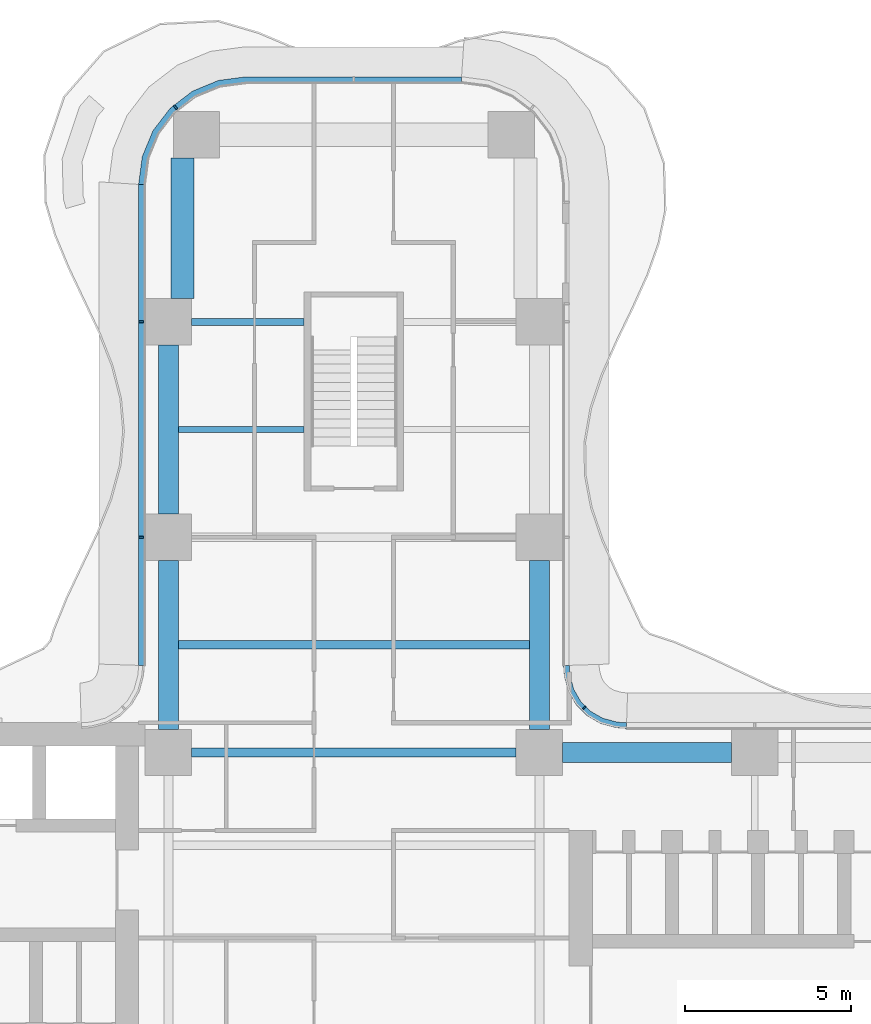
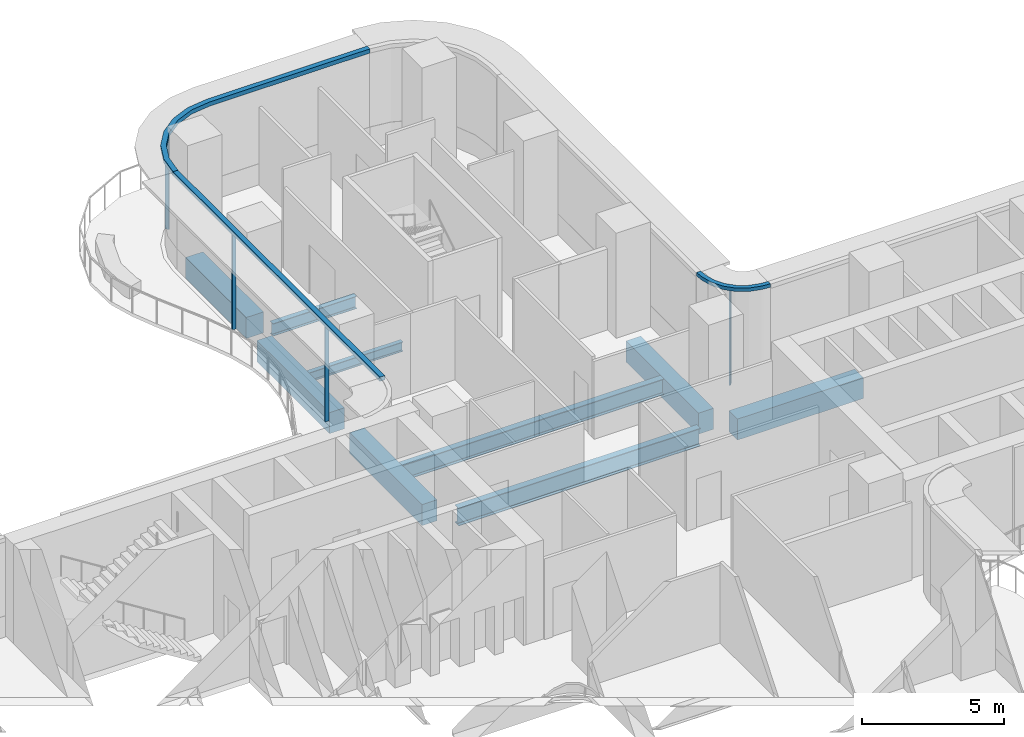
# One storey, part 9 of 23: 9 beams, 7 members, 3 elements without a shape of their own.
"""IFC4 building model written with IfcOpenShell, lengths in metres."""

from ifc_helpers import new_model, si_unit, direction, frame, origin, origin_2d, place, context, subcontext, project, spatial, polyline, rectangle, i_section, outline, extrude, source, transform, mapped, material, layer, layer_set, material_profile, profile_set, type_object, element, aggregate, save


model = new_model("IFC4")

# Units and contexts
model_context = context("Model", 3, precision=1e-05, world=origin(), true_north=direction((0.0, 1.0)))
body_context = subcontext(model_context, "Body", "Model", "MODEL_VIEW")
ifc_project = project(units=[si_unit("LENGTHUNIT", "METRE"), si_unit("AREAUNIT", "SQUARE_METRE"), si_unit("VOLUMEUNIT", "CUBIC_METRE"), si_unit("PLANEANGLEUNIT", "RADIAN"), si_unit("MASSUNIT", "GRAM", prefix="KILO")], contexts=[model_context])

# Site, building, storey
site_placement = place(None, origin())
site = spatial("IfcSite", under=ifc_project, at=site_placement, CompositionType="ELEMENT")
building_placement = place(site_placement, origin())
building = spatial("IfcBuilding", under=site, at=building_placement, Name="Trellis Farm Tower", CompositionType="ELEMENT")
storey_placement = place(building_placement, frame((0.0, 0.0, 83.5)))
storey = spatial("IfcBuildingStorey", under=building, at=storey_placement, Name="L17", CompositionType="ELEMENT", Elevation=83.5)

# Beams
ifc_material_1 = material(Name="Steel S355", Category="steel")
ifc_material_profile_1 = material_profile(ifc_material_1, i_section(OverallWidth=0.209228515625, OverallDepth=0.533203125, WebThickness=0.010009765625, FlangeThickness=0.015625, FilletRadius=0.0126953125, at=origin_2d()), Name="UB 533x210x92")
ifc_profile_set_1 = profile_set([ifc_material_profile_1], Name="Steel S355")
beam_type_1 = type_object("IfcBeamType", Name="UB 533x210x92", PredefinedType="BEAM", material=ifc_profile_set_1)
shared_shape_1 = source(origin(), body_context, "Body", "SweptSolid", [
    extrude(i_section(OverallWidth=0.209228515625, OverallDepth=0.533203125, WebThickness=0.010009765625, FlangeThickness=0.015625, FilletRadius=0.0126953125, at=origin_2d()), origin(), (0.0, 0.0, 1.0), 3.39990234375),
])
beam_1_placement = place(storey_placement, frame((-4.89990234375, 18.60009765625, -0.5166015625), z_axis=(1.0, 0.0, 0.0), x_axis=(0.0, 1.0, 0.0)))
element("IfcBeam", 1, at=beam_1_placement, inside=storey, type_object=beam_type_1, Name="Girder", PredefinedType="BEAM", context=body_context, shape_type="MappedRepresentation", body=[
    mapped(shared_shape_1, transform((0.0, 0.0, 0.0))),
])
ifc_material_2 = material(Name="Concrete C60/75", Category="concrete")
ifc_material_profile_2 = material_profile(ifc_material_2, rectangle(XDim=0.60009765625, YDim=0.89990234375, at=origin_2d()), Name="RC spandrel beam 600x900 C60/75")
ifc_profile_set_2 = profile_set([ifc_material_profile_2], Name="Concrete C60/75")
beam_type_2 = type_object("IfcBeamType", Name="RC spandrel beam 600x900 C60/75", PredefinedType="SPANDREL", material=ifc_profile_set_2)
shared_shape_2 = source(origin(), body_context, "Body", "SweptSolid", [
    extrude(rectangle(XDim=0.60009765625, YDim=0.89990234375, at=origin_2d()), origin(), (0.0, 0.0, 1.0), 5.099853515625),
])
for number, where, z_axis, x_axis, name in (
    (2, (6.300048828125, 5.60009765625, -0.699951171875), (1.0, 0.0, 0.0), (0.0, 1.0, 0.0), "Girder"),
    (3, (-5.60009765625, 6.300048828125, -0.699951171875), (0.0, 1.0, 0.0), (-1.0, 0.0, 0.0), "Girder"),
    (4, (-5.60009765625, 12.800048828125, -0.699951171875), (0.0, 1.0, 0.0), (-1.0, 0.0, 0.0), "Girder"),
    (5, (5.60009765625, 6.300048828125, -0.699951171875), (0.0, 1.0, 0.0), (-1.0, 0.0, 0.0), "Girder"),
):
    element("IfcBeam", number, at=place(storey_placement, frame(where, z_axis=z_axis, x_axis=x_axis)), inside=storey, type_object=beam_type_2, Name=name, PredefinedType="SPANDREL", context=body_context, shape_type="MappedRepresentation", body=[
        mapped(shared_shape_2, transform((0.0, 0.0, 0.0))),
    ])
ifc_material_profile_3 = material_profile(ifc_material_1, i_section(OverallWidth=0.2666015625, OverallDepth=0.76220703125, WebThickness=0.014404296875, FlangeThickness=0.021484375, FilletRadius=0.0166015625, at=origin_2d()), Name="UB 762x267x173")
ifc_profile_set_3 = profile_set([ifc_material_profile_3], Name="Steel S355")
beam_type_3 = type_object("IfcBeamType", Name="UB 762x267x173", PredefinedType="BEAM", material=ifc_profile_set_3)
shared_shape_3 = source(origin(), body_context, "Body", "SweptSolid", [
    extrude(i_section(OverallWidth=0.2666015625, OverallDepth=0.76220703125, WebThickness=0.014404296875, FlangeThickness=0.021484375, FilletRadius=0.0166015625, at=origin_2d()), origin(), (0.0, 0.0, 1.0), 9.7998046875),
])
beam_2_placement = place(storey_placement, frame((-4.89990234375, 5.60009765625, -0.631103515625), z_axis=(1.0, 0.0, 0.0), x_axis=(0.0, 1.0, 0.0)))
element("IfcBeam", 6, at=beam_2_placement, inside=storey, type_object=beam_type_3, Name="Girder", PredefinedType="BEAM", context=body_context, shape_type="MappedRepresentation", body=[
    mapped(shared_shape_3, transform((0.0, 0.0, 0.0))),
])
ifc_material_profile_4 = material_profile(ifc_material_2, rectangle(XDim=0.699951171875, YDim=0.89990234375, at=origin_2d()), Name="RC spandrel beam 700x900 C60/75")
ifc_profile_set_4 = profile_set([ifc_material_profile_4], Name="Concrete C60/75")
beam_type_4 = type_object("IfcBeamType", Name="RC spandrel beam 700x900 C60/75", PredefinedType="SPANDREL", material=ifc_profile_set_4)
shared_shape_4 = source(origin(), body_context, "Body", "SweptSolid", [
    extrude(rectangle(XDim=0.699951171875, YDim=0.89990234375, at=origin_2d()), origin(), (0.0, 0.0, 1.0), 4.25),
])
beam_3_placement = place(storey_placement, frame((-5.175048828125, 19.300048828125, -0.699951171875), z_axis=(0.0, 1.0, 0.0), x_axis=(-1.0, 0.0, 0.0)))
element("IfcBeam", 7, at=beam_3_placement, inside=storey, type_object=beam_type_4, Name="Girder", PredefinedType="SPANDREL", context=body_context, shape_type="MappedRepresentation", body=[
    mapped(shared_shape_4, transform((0.0, 0.0, 0.0))),
])
ifc_material_profile_5 = material_profile(ifc_material_1, i_section(OverallWidth=0.177978515625, OverallDepth=0.406494140625, WebThickness=0.0078125, FlangeThickness=0.0126953125, FilletRadius=0.01025390625, at=origin_2d()), Name="UB 406x178x60")
ifc_profile_set_5 = profile_set([ifc_material_profile_5], Name="Steel S355")
beam_type_5 = type_object("IfcBeamType", Name="UB 406x178x60 joist", PredefinedType="JOIST", material=ifc_profile_set_5)
shared_shape_5 = source(origin(), body_context, "Body", "SweptSolid", [
    extrude(i_section(OverallWidth=0.177978515625, OverallDepth=0.406494140625, WebThickness=0.0078125, FlangeThickness=0.0126953125, FilletRadius=0.01025390625, at=origin_2d()), origin(), (0.0, 0.0, 1.0), 3.800048828125),
])
beam_4_placement = place(storey_placement, frame((-5.300048828125, 15.35009765625, -0.453125), z_axis=(1.0, 0.0, 0.0), x_axis=(0.0, 1.0, 0.0)))
element("IfcBeam", 8, at=beam_4_placement, inside=storey, type_object=beam_type_5, Name="Floor beam", PredefinedType="JOIST", context=body_context, shape_type="MappedRepresentation", body=[
    mapped(shared_shape_5, transform((0.0, 0.0, 0.0))),
])
ifc_material_profile_6 = material_profile(ifc_material_1, i_section(OverallWidth=0.253662109375, OverallDepth=0.68359375, WebThickness=0.012451171875, FlangeThickness=0.021728515625, FilletRadius=0.01513671875, at=origin_2d()), Name="UB 686x254x140")
ifc_profile_set_6 = profile_set([ifc_material_profile_6], Name="Steel S355")
beam_type_6 = type_object("IfcBeamType", Name="UB 686x254x140 joist", PredefinedType="JOIST", material=ifc_profile_set_6)
shared_shape_6 = source(origin(), body_context, "Body", "SweptSolid", [
    extrude(i_section(OverallWidth=0.253662109375, OverallDepth=0.68359375, WebThickness=0.012451171875, FlangeThickness=0.021728515625, FilletRadius=0.01513671875, at=origin_2d()), origin(), (0.0, 0.0, 1.0), 10.60009765625),
])
beam_5_placement = place(storey_placement, frame((-5.300048828125, 8.85009765625, -0.591796875), z_axis=(1.0, 0.0, 0.0), x_axis=(0.0, 1.0, 0.0)))
element("IfcBeam", 9, at=beam_5_placement, inside=storey, type_object=beam_type_6, Name="Floor beam", PredefinedType="JOIST", context=body_context, shape_type="MappedRepresentation", body=[
    mapped(shared_shape_6, transform((0.0, 0.0, 0.0))),
])

# Curtain wall, member
ifc_material_3 = material(Name="Aluminium and glass curtain wall", Category="aluminium")
ifc_layer_1 = layer(ifc_material_3, 0.18994140625)
ifc_layer_set_1 = layer_set([ifc_layer_1], Name="RIBBON CURTAIN WALL CW1")
curtain_wall_type_1 = type_object("IfcCurtainWallType", Name="RIBBON CURTAIN WALL CW1", PredefinedType="NOTDEFINED", material=ifc_layer_set_1)
placement_1 = place(storey_placement, origin())
curtain_wall_1 = element("IfcCurtainWall", 10, at=placement_1, inside=storey, type_object=curtain_wall_type_1, Name="CW1 010", PredefinedType="NOTDEFINED")
ifc_material_4 = material(Name="Aluminium extrusion 6063-T6", Category="aluminium")
ifc_material_profile_7 = material_profile(ifc_material_4, rectangle(XDim=0.06005859375, YDim=0.14990234375, at=origin_2d()), Name="MULLION 60x150")
ifc_profile_set_7 = profile_set([ifc_material_profile_7], Name="Aluminium extrusion 6063-T6")
member_type_1 = type_object("IfcMemberType", Name="CW1 MULLION 60x150", PredefinedType="MULLION", material=ifc_profile_set_7)
shared_shape_7 = source(origin(), body_context, "Body", "SweptSolid", [
    extrude(rectangle(XDim=0.06005859375, YDim=0.14990234375, at=origin_2d()), origin(), (0.0, 0.0, 1.0), 4.070068359375),
])
member_1_placement = place(storey_placement, frame((-5.385498046875, 25.078369140625, 0.0), z_axis=(0.0, 0.0, 1.0), x_axis=(-0.793353340291, -0.608761429009, 0.0)))
member_1 = element("IfcMember", 11, at=member_1_placement, type_object=member_type_1, Name="MU1 010-02", PredefinedType="MULLION", context=body_context, shape_type="MappedRepresentation", body=[
    mapped(shared_shape_7, transform((0.0, 0.0, 0.0))),
])

# Curtain wall, members
curtain_wall_2 = element("IfcCurtainWall", 12, at=placement_1, inside=storey, type_object=curtain_wall_type_1, Name="CW1 011", PredefinedType="NOTDEFINED")
member_2_placement = place(storey_placement, frame((-6.425048828125, 18.60009765625, 0.0), z_axis=(0.0, 0.0, 1.0), x_axis=(0.0, -1.0, 0.0)))
member_2 = element("IfcMember", 13, at=member_2_placement, type_object=member_type_1, Name="MU1 011-01", PredefinedType="MULLION", context=body_context, shape_type="MappedRepresentation", body=[
    mapped(shared_shape_7, transform((0.0, 0.0, 0.0))),
])
member_3_placement = place(storey_placement, frame((-6.425048828125, 12.10009765625, 0.0), z_axis=(0.0, 0.0, 1.0), x_axis=(0.0, -1.0, 0.0)))
member_3 = element("IfcMember", 14, at=member_3_placement, type_object=member_type_1, Name="MU1 011-02", PredefinedType="MULLION", context=body_context, shape_type="MappedRepresentation", body=[
    mapped(shared_shape_7, transform((0.0, 0.0, 0.0))),
])

ifc_layer_2 = layer(ifc_material_3, 0.166015625)
ifc_layer_set_2 = layer_set([ifc_layer_2], Name="WINTER GARDEN CURTAIN WALL CW3")
curtain_wall_type_2 = type_object("IfcCurtainWallType", Name="WINTER GARDEN CURTAIN WALL CW3", PredefinedType="NOTDEFINED", material=ifc_layer_set_2)
curtain_wall_3 = element("IfcCurtainWall", 15, at=placement_1, inside=storey, type_object=curtain_wall_type_2, Name="CW3 003", PredefinedType="NOTDEFINED")
ifc_material_profile_8 = material_profile(ifc_material_4, rectangle(XDim=0.050048828125, YDim=0.1201171875, at=origin_2d()), Name="MULLION 50x120")
ifc_profile_set_8 = profile_set([ifc_material_profile_8], Name="Aluminium extrusion 6063-T6")
member_type_2 = type_object("IfcMemberType", Name="CW3 MULLION 50x120", PredefinedType="MULLION", material=ifc_profile_set_8)
shared_shape_8 = source(origin(), body_context, "Body", "SweptSolid", [
    extrude(rectangle(XDim=0.050048828125, YDim=0.1201171875, at=origin_2d()), origin(), (0.0, 0.0, 1.0), 4.10009765625),
])
member_4_placement = place(storey_placement, frame((6.953125, 6.953125, 0.0), z_axis=(0.0, 0.0, 1.0), x_axis=(-0.707106781187, 0.707106781187, 0.0)))
member_4 = element("IfcMember", 16, at=member_4_placement, type_object=member_type_2, Name="MU3 003-01", PredefinedType="MULLION", context=body_context, shape_type="MappedRepresentation", body=[
    mapped(shared_shape_8, transform((0.0, 0.0, 0.0))),
])
ifc_layer_3 = layer(ifc_material_4, 0.169921875)
ifc_layer_set_3 = layer_set([ifc_layer_3], Name="Aluminium extrusion 6063-T6")
member_type_3 = type_object("IfcMemberType", Name="CW3 TRANSOM 170x150", PredefinedType="USERDEFINED", material=ifc_layer_set_3)
shared_shape_9 = source(origin(), body_context, "Body", "SweptSolid", [
    extrude(outline(polyline([(8.2314453125, 6.5), (8.01953125, 6.513916015625), (7.91552734375, 6.527587890625), (7.508544921875, 6.63671875), (7.144287109375, 6.846923828125), (6.846923828125, 7.144287109375), (6.63671875, 7.508544921875), (6.527587890625, 7.91552734375), (6.513916015625, 8.01953125), (6.5, 8.2314453125), (6.330078125, 8.225830078125), (6.3447265625, 8.0029296875), (6.360595703125, 7.88232421875), (6.478271484375, 7.44287109375), (6.7109375, 7.0400390625), (7.0400390625, 6.7109375), (7.44287109375, 6.478271484375), (7.88232421875, 6.360595703125), (8.0029296875, 6.3447265625), (8.225830078125, 6.330078125), (8.2314453125, 6.5)])), origin(), (0.0, 0.0, 1.0), 0.14990234375),
])
member_5_placement = place(storey_placement, frame((0.0, 0.0, 4.10009765625)))
member_5 = element("IfcMember", 17, at=member_5_placement, type_object=member_type_3, Name="TR3 003", ObjectType="TRANSOM", PredefinedType="USERDEFINED", context=body_context, shape_type="MappedRepresentation", body=[
    mapped(shared_shape_9, transform((0.0, 0.0, 0.0))),
])
aggregate(curtain_wall_3, [member_4, member_5])

# Member
ifc_layer_4 = layer(ifc_material_4, 0.199951171875)
ifc_layer_set_4 = layer_set([ifc_layer_4], Name="Aluminium extrusion 6063-T6")
member_type_4 = type_object("IfcMemberType", Name="CW1 TRANSOM 200x180", PredefinedType="USERDEFINED", material=ifc_layer_set_4)
shared_shape_10 = source(origin(), body_context, "Body", "SweptSolid", [
    extrude(outline(polyline([(-6.5, 22.75), (-6.5, 8.2314453125), (-6.300048828125, 8.224853515625), (-6.300048828125, 22.73681640625), (-6.5, 22.75)])), origin(), (0.0, 0.0, 1.0), 0.179931640625),
])
placement_2 = place(storey_placement, frame((0.0, 0.0, 4.070068359375)))
member_6 = element("IfcMember", 18, at=placement_2, type_object=member_type_4, Name="TR1 011", ObjectType="TRANSOM", PredefinedType="USERDEFINED", context=body_context, shape_type="MappedRepresentation", body=[
    mapped(shared_shape_10, transform((0.0, 0.0, 0.0))),
])

aggregate(curtain_wall_2, [member_2, member_3, member_6])

shared_shape_11 = source(origin(), body_context, "Body", "SweptSolid", [
    extrude(outline(polyline([(3.25, 26.0), (-3.25, 26.0), (-4.091064453125, 25.88916015625), (-4.875, 25.564697265625), (-5.548095703125, 25.048095703125), (-6.064697265625, 24.375), (-6.38916015625, 23.591064453125), (-6.5, 22.75), (-6.300048828125, 22.73681640625), (-6.1943359375, 23.5390625), (-5.889892578125, 24.274169921875), (-5.405517578125, 24.905517578125), (-4.774169921875, 25.389892578125), (-4.0390625, 25.6943359375), (-3.23681640625, 25.800048828125), (3.23681640625, 25.800048828125), (3.25, 26.0)])), origin(), (0.0, 0.0, 1.0), 0.179931640625),
])
member_7 = element("IfcMember", 19, at=placement_2, type_object=member_type_4, Name="TR1 010", ObjectType="TRANSOM", PredefinedType="USERDEFINED", context=body_context, shape_type="MappedRepresentation", body=[
    mapped(shared_shape_11, transform((0.0, 0.0, 0.0))),
])

aggregate(curtain_wall_1, [member_1, member_7])

save(model, "model.ifc")
